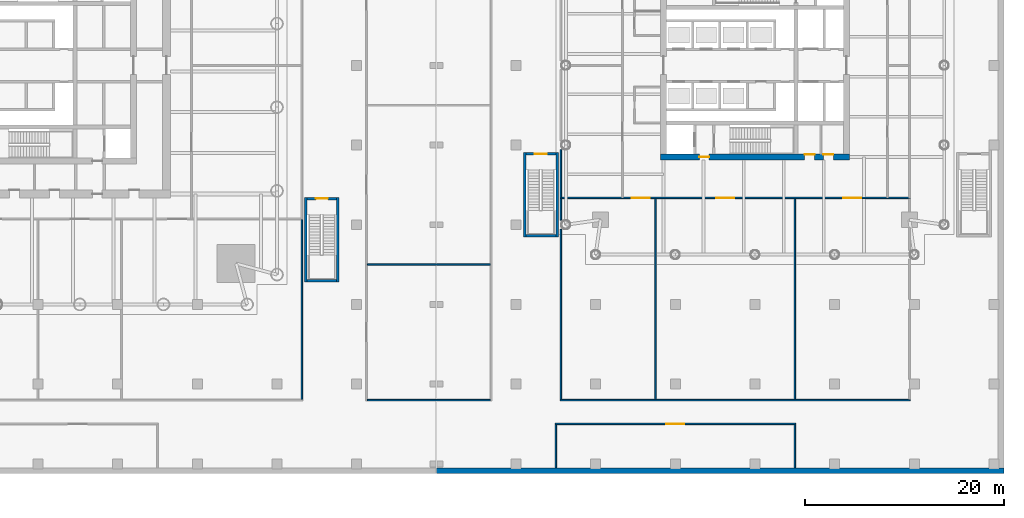
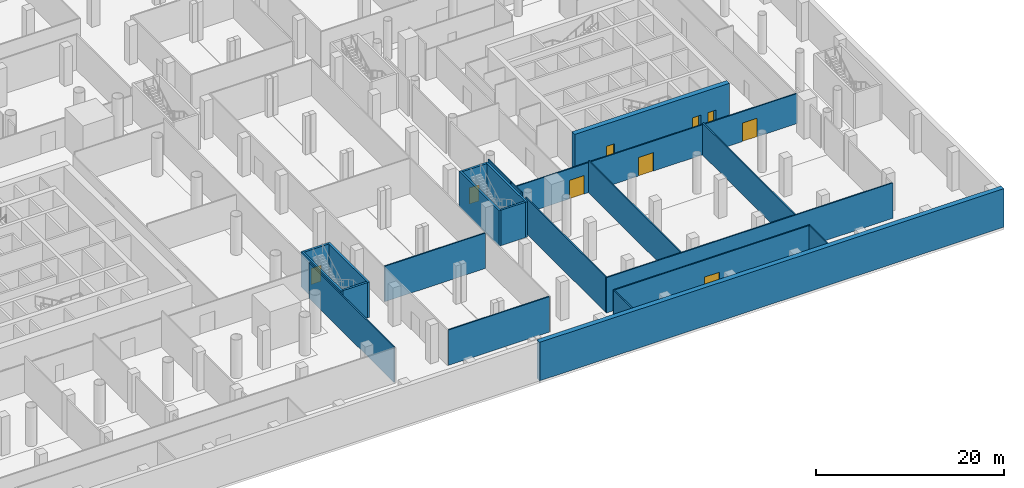
# One storey, part 11 of 22: 23 walls, 9 doors, 9 openings.
"""IFC4 building model written with IfcOpenShell, lengths in metres."""

from ifc_helpers import new_model, si_unit, direction, frame, frame_2d, origin, place, context, subcontext, project, spatial, rectangle, extrude, material, layer, layer_set, type_object, element, fill, save


model = new_model("IFC4")

# Units and contexts
model_context = context("Model", 3, precision=1e-05, world=origin(), true_north=direction((0.0, 1.0)))
body_context = subcontext(model_context, "Body", "Model", "MODEL_VIEW")
ifc_project = project(units=[si_unit("LENGTHUNIT", "METRE"), si_unit("AREAUNIT", "SQUARE_METRE"), si_unit("VOLUMEUNIT", "CUBIC_METRE"), si_unit("PLANEANGLEUNIT", "RADIAN"), si_unit("MASSUNIT", "GRAM", prefix="KILO")], contexts=[model_context])

# Site, building, storey
site_placement = place(None, origin())
site = spatial("IfcSite", under=ifc_project, at=site_placement, CompositionType="ELEMENT")
building_placement = place(site_placement, origin())
building = spatial("IfcBuilding", under=site, at=building_placement, Name="Ostroluk Exchange", CompositionType="ELEMENT")
storey_placement = place(building_placement, frame((0.0, 0.0, -5.0)))
storey = spatial("IfcBuildingStorey", under=building, at=storey_placement, Name="B1", CompositionType="ELEMENT", Elevation=-5.0)

# Walls
ifc_material_1 = material(Name="Concrete C35/45", Category="concrete")
ifc_layer_1 = layer(ifc_material_1, 0.60009765625)
ifc_layer_set_1 = layer_set([ifc_layer_1], Name="Basement retaining wall 600")
wall_type_1 = type_object("IfcWallType", Name="Basement retaining wall 600", PredefinedType="USERDEFINED", material=ifc_layer_set_1)
wall_1_placement = place(storey_placement, frame((85.02490234375, 5.300048828125, 0.0), z_axis=(0.0, 0.0, 1.0), x_axis=(1.0, 0.0, 0.0)))
element("IfcWall", 1, at=wall_1_placement, inside=storey, type_object=wall_type_1, Name="Retaining wall B1 SE", ObjectType="RETAINING WALL", PredefinedType="USERDEFINED", context=body_context, shape_type="SweptSolid", body=[
    extrude(rectangle(XDim=56.97509765625, YDim=0.60009765625, at=frame_2d((28.487548828125, 0.0))), origin(), (0.0, 0.0, 1.0), 5.0),
])
ifc_material_2 = material(Name="Concrete blockwork", Category="masonry")
ifc_layer_2 = layer(ifc_material_2, 0.25)
ifc_layer_set_2 = layer_set([ifc_layer_2], Name="Blockwork stair enclosure wall 250")
wall_type_2 = type_object("IfcWallType", Name="Blockwork stair enclosure wall 250", PredefinedType="SOLIDWALL", material=ifc_layer_set_2)
for number, where, z_axis, x_axis, name in (
    (2, (71.875, 24.25, 0.0), (0.0, 0.0, 1.0), (0.0, 1.0, 0.0), "Stair PS3 enclosure wall"),
    (3, (75.125, 24.25, 0.0), (0.0, 0.0, 1.0), (0.0, 1.0, 0.0), "Stair PS3 enclosure wall"),
):
    element("IfcWall", number, at=place(storey_placement, frame(where, z_axis=z_axis, x_axis=x_axis)), inside=storey, type_object=wall_type_2, Name=name, PredefinedType="SOLIDWALL", context=body_context, shape_type="SweptSolid", body=[
        extrude(rectangle(XDim=8.5, YDim=0.25, at=frame_2d((4.25, 0.0))), origin(), (0.0, 0.0, 1.0), 4.60009765625),
    ])
wall_2_placement = place(storey_placement, frame((72.0, 24.375, 0.0), z_axis=(0.0, 0.0, 1.0), x_axis=(1.0, 0.0, 0.0)))
element("IfcWall", 4, at=wall_2_placement, inside=storey, type_object=wall_type_2, Name="Stair PS3 enclosure wall", PredefinedType="SOLIDWALL", context=body_context, shape_type="SweptSolid", body=[
    extrude(rectangle(XDim=3.0, YDim=0.25, at=frame_2d((1.5, 0.0))), origin(), (0.0, 0.0, 1.0), 4.60009765625),
])

# Wall, opening, door
wall_3_placement = place(storey_placement, frame((72.0, 32.625, 0.0), z_axis=(0.0, 0.0, 1.0), x_axis=(1.0, 0.0, 0.0)))
wall_3 = element("IfcWall", 5, at=wall_3_placement, inside=storey, type_object=wall_type_2, Name="Stair PS3 enclosure wall", PredefinedType="SOLIDWALL", context=body_context, shape_type="SweptSolid", body=[
    extrude(rectangle(XDim=3.0, YDim=0.25, at=frame_2d((1.5, 0.0))), origin(), (0.0, 0.0, 1.0), 4.60009765625),
])
opening_1_placement = place(wall_3_placement, frame((0.89990234375, 0.0, 0.0)))
opening_1 = element("IfcOpeningElement", 6, at=opening_1_placement, cuts=wall_3, Name="Opening FD60S", PredefinedType="OPENING", context=body_context, shape_type="SweptSolid", body=[
    extrude(rectangle(XDim=1.199951171875, YDim=2.10009765625, at=frame_2d((0.60009765625, 1.050048828125))), frame((0.0, 0.135009765625, 0.0), z_axis=(0.0, -1.0, 0.0), x_axis=(1.0, 0.0, 0.0)), (0.0, 0.0, 1.0), 0.27001953125),
])
ifc_material_3 = material(Name="Steel", Category="steel")
door_type_1 = type_object("IfcDoorType", Name="Stair door EI 60 1200 x 2100", OperationType="SINGLE_SWING_LEFT", PredefinedType="DOOR", material=ifc_material_3)
door_1_placement = place(opening_1_placement, origin())
door_1 = element("IfcDoor", 7, at=door_1_placement, inside=storey, type_object=door_type_1, Name="Stair PS3 door", OperationType="SINGLE_SWING_LEFT", OverallHeight=2.10009765625, OverallWidth=1.199951171875, PredefinedType="DOOR", context=body_context, shape_type="SweptSolid", body=[
    extrude(rectangle(XDim=1.199951171875, YDim=2.10009765625, at=frame_2d((0.60009765625, 1.050048828125))), frame((0.0, 0.02490234375, 0.0), z_axis=(0.0, -1.0, 0.0), x_axis=(1.0, 0.0, 0.0)), (0.0, 0.0, 1.0), 0.050048828125),
])
fill(opening_1, door_1)

# Walls
for number, where, z_axis, x_axis, name in (
    (8, (93.875, 28.75, 0.0), (0.0, 0.0, 1.0), (0.0, 1.0, 0.0), "Stair PS5 enclosure wall"),
    (9, (97.125, 28.75, 0.0), (0.0, 0.0, 1.0), (0.0, 1.0, 0.0), "Stair PS5 enclosure wall"),
):
    element("IfcWall", number, at=place(storey_placement, frame(where, z_axis=z_axis, x_axis=x_axis)), inside=storey, type_object=wall_type_2, Name=name, PredefinedType="SOLIDWALL", context=body_context, shape_type="SweptSolid", body=[
        extrude(rectangle(XDim=8.5, YDim=0.25, at=frame_2d((4.25, 0.0))), origin(), (0.0, 0.0, 1.0), 4.60009765625),
    ])
wall_4_placement = place(storey_placement, frame((94.0, 28.875, 0.0), z_axis=(0.0, 0.0, 1.0), x_axis=(1.0, 0.0, 0.0)))
element("IfcWall", 10, at=wall_4_placement, inside=storey, type_object=wall_type_2, Name="Stair PS5 enclosure wall", PredefinedType="SOLIDWALL", context=body_context, shape_type="SweptSolid", body=[
    extrude(rectangle(XDim=3.0, YDim=0.25, at=frame_2d((1.5, 0.0))), origin(), (0.0, 0.0, 1.0), 4.60009765625),
])

# Wall, opening, door
wall_5_placement = place(storey_placement, frame((94.0, 37.125, 0.0), z_axis=(0.0, 0.0, 1.0), x_axis=(1.0, 0.0, 0.0)))
wall_5 = element("IfcWall", 11, at=wall_5_placement, inside=storey, type_object=wall_type_2, Name="Stair PS5 enclosure wall", PredefinedType="SOLIDWALL", context=body_context, shape_type="SweptSolid", body=[
    extrude(rectangle(XDim=3.0, YDim=0.25, at=frame_2d((1.5, 0.0))), origin(), (0.0, 0.0, 1.0), 4.60009765625),
])
opening_2_placement = place(wall_5_placement, frame((0.89990234375, 0.0, 0.0)))
opening_2 = element("IfcOpeningElement", 12, at=opening_2_placement, cuts=wall_5, Name="Opening FD60S", PredefinedType="OPENING", context=body_context, shape_type="SweptSolid", body=[
    extrude(rectangle(XDim=1.199951171875, YDim=2.10009765625, at=frame_2d((0.60009765625, 1.050048828125))), frame((0.0, 0.135009765625, 0.0), z_axis=(0.0, -1.0, 0.0), x_axis=(1.0, 0.0, 0.0)), (0.0, 0.0, 1.0), 0.27001953125),
])
door_2_placement = place(opening_2_placement, origin())
door_2 = element("IfcDoor", 13, at=door_2_placement, inside=storey, type_object=door_type_1, Name="Stair PS5 door", OperationType="SINGLE_SWING_LEFT", OverallHeight=2.10009765625, OverallWidth=1.199951171875, PredefinedType="DOOR", context=body_context, shape_type="SweptSolid", body=[
    extrude(rectangle(XDim=1.199951171875, YDim=2.10009765625, at=frame_2d((0.60009765625, 1.050048828125))), frame((0.0, 0.02490234375, 0.0), z_axis=(0.0, -1.0, 0.0), x_axis=(1.0, 0.0, 0.0)), (0.0, 0.0, 1.0), 0.050048828125),
])
fill(opening_2, door_2)

# Wall, openings, doors
ifc_material_4 = material(Name="Concrete C50/60", Category="concrete")
ifc_layer_3 = layer(ifc_material_4, 0.60009765625)
ifc_layer_set_3 = layer_set([ifc_layer_3], Name="Core wall 600 C50/60")
wall_type_3 = type_object("IfcWallType", Name="Core wall 600 C50/60", PredefinedType="SHEAR", material=ifc_layer_set_3)
wall_6_placement = place(storey_placement, frame((107.5, 36.800048828125, 0.0), z_axis=(0.0, 0.0, 1.0), x_axis=(1.0, 0.0, 0.0)))
wall_6 = element("IfcWall", 14, at=wall_6_placement, inside=storey, type_object=wall_type_3, Name="T2 core wall S", PredefinedType="SHEAR", context=body_context, shape_type="SweptSolid", body=[
    extrude(rectangle(XDim=19.0, YDim=0.60009765625, at=frame_2d((9.5, 0.0))), origin(), (0.0, 0.0, 1.0), 5.0),
])
opening_3_placement = place(wall_6_placement, frame((3.89990234375, 0.0, 0.0)))
opening_3 = element("IfcOpeningElement", 15, at=opening_3_placement, cuts=wall_6, Name="Opening FD60", PredefinedType="OPENING", context=body_context, shape_type="SweptSolid", body=[
    extrude(rectangle(XDim=1.0, YDim=2.10009765625, at=frame_2d((0.5, 1.050048828125))), frame((0.0, 0.31005859375, 0.0), z_axis=(0.0, -1.0, 0.0), x_axis=(1.0, 0.0, 0.0)), (0.0, 0.0, 1.0), 0.6201171875),
])
opening_4_placement = place(wall_6_placement, frame((14.472412109375, 0.0, 0.0)))
opening_4 = element("IfcOpeningElement", 16, at=opening_4_placement, cuts=wall_6, Name="Opening FD60", PredefinedType="OPENING", context=body_context, shape_type="SweptSolid", body=[
    extrude(rectangle(XDim=1.0, YDim=2.10009765625, at=frame_2d((0.5, 1.050048828125))), frame((0.0, 0.31005859375, 0.0), z_axis=(0.0, -1.0, 0.0), x_axis=(1.0, 0.0, 0.0)), (0.0, 0.0, 1.0), 0.6201171875),
])
opening_5_placement = place(wall_6_placement, frame((16.364990234375, 0.0, 0.0)))
opening_5 = element("IfcOpeningElement", 17, at=opening_5_placement, cuts=wall_6, Name="Opening FD60", PredefinedType="OPENING", context=body_context, shape_type="SweptSolid", body=[
    extrude(rectangle(XDim=1.0, YDim=2.10009765625, at=frame_2d((0.5, 1.050048828125))), frame((0.0, 0.31005859375, 0.0), z_axis=(0.0, -1.0, 0.0), x_axis=(1.0, 0.0, 0.0)), (0.0, 0.0, 1.0), 0.6201171875),
])
ifc_material_5 = material(Name="Steel", Category="steel")
door_type_2 = type_object("IfcDoorType", Name="Fire door EI 60 1000 x 2100", OperationType="SINGLE_SWING_LEFT", PredefinedType="DOOR", material=ifc_material_5)
door_3_placement = place(opening_3_placement, origin())
door_3 = element("IfcDoor", 18, at=door_3_placement, inside=storey, type_object=door_type_2, Name="Firefighting lobby door", OperationType="SINGLE_SWING_LEFT", OverallHeight=2.10009765625, OverallWidth=1.0, PredefinedType="DOOR", context=body_context, shape_type="SweptSolid", body=[
    extrude(rectangle(XDim=1.0, YDim=2.10009765625, at=frame_2d((0.5, 1.050048828125))), frame((0.0, 0.02490234375, 0.0), z_axis=(0.0, -1.0, 0.0), x_axis=(1.0, 0.0, 0.0)), (0.0, 0.0, 1.0), 0.050048828125),
])
fill(opening_3, door_3)
door_4_placement = place(opening_4_placement, origin())
door_4 = element("IfcDoor", 19, at=door_4_placement, inside=storey, type_object=door_type_2, Name="Comms switch room door", OperationType="SINGLE_SWING_RIGHT", OverallHeight=2.10009765625, OverallWidth=1.0, PredefinedType="DOOR", context=body_context, shape_type="SweptSolid", body=[
    extrude(rectangle(XDim=1.0, YDim=2.10009765625, at=frame_2d((0.5, 1.050048828125))), frame((0.0, 0.2900390625, 0.0), z_axis=(0.0, -1.0, 0.0), x_axis=(1.0, 0.0, 0.0)), (0.0, 0.0, 1.0), 0.050048828125),
])
fill(opening_4, door_4)
door_5_placement = place(opening_5_placement, origin())
door_5 = element("IfcDoor", 20, at=door_5_placement, inside=storey, type_object=door_type_2, Name="Electrical switch room door", OperationType="SINGLE_SWING_RIGHT", OverallHeight=2.10009765625, OverallWidth=1.0, PredefinedType="DOOR", context=body_context, shape_type="SweptSolid", body=[
    extrude(rectangle(XDim=1.0, YDim=2.10009765625, at=frame_2d((0.5, 1.050048828125))), frame((0.0, 0.2900390625, 0.0), z_axis=(0.0, -1.0, 0.0), x_axis=(1.0, 0.0, 0.0)), (0.0, 0.0, 1.0), 0.050048828125),
])
fill(opening_5, door_5)

# Wall, opening, door
ifc_material_6 = material(Name="Gypsum plasterboard partition", Category="gypsum")
ifc_layer_4 = layer(ifc_material_6, 0.14990234375)
ifc_layer_set_4 = layer_set([ifc_layer_4], Name="Plasterboard partition 150")
wall_type_4 = type_object("IfcWallType", Name="Plasterboard partition 150", PredefinedType="PARTITIONING", material=ifc_layer_set_4)
wall_7_placement = place(storey_placement, frame((96.925048828125, 10.0, 0.0), z_axis=(0.0, 0.0, 1.0), x_axis=(1.0, 0.0, 0.0)))
wall_7 = element("IfcWall", 21, at=wall_7_placement, inside=storey, type_object=wall_type_4, Name="Partition", PredefinedType="PARTITIONING", context=body_context, shape_type="SweptSolid", body=[
    extrude(rectangle(XDim=24.14990234375, YDim=0.14990234375, at=frame_2d((12.074951171875, 0.0))), origin(), (0.0, 0.0, 1.0), 4.60009765625),
])
opening_6_placement = place(wall_7_placement, frame((11.175048828125, 0.0, 0.0)))
opening_6 = element("IfcOpeningElement", 22, at=opening_6_placement, cuts=wall_7, Name="Opening D-05", PredefinedType="OPENING", context=body_context, shape_type="SweptSolid", body=[
    extrude(rectangle(XDim=1.800048828125, YDim=2.39990234375, at=frame_2d((0.89990234375, 1.199951171875))), frame((0.0, 0.0849609375, 0.0), z_axis=(0.0, -1.0, 0.0), x_axis=(1.0, 0.0, 0.0)), (0.0, 0.0, 1.0), 0.169921875),
])
ifc_material_7 = material(Name="Steel", Category="steel")
door_type_3 = type_object("IfcDoorType", Name="Plant room double door EI 60 1800 x 2400", OperationType="DOUBLE_DOOR_SINGLE_SWING", PredefinedType="DOOR", material=ifc_material_7)
door_6_placement = place(opening_6_placement, origin())
door_6 = element("IfcDoor", 23, at=door_6_placement, inside=storey, type_object=door_type_3, Name="Metro ventilation plant room door", OperationType="DOUBLE_DOOR_SINGLE_SWING", OverallHeight=2.39990234375, OverallWidth=1.800048828125, PredefinedType="DOOR", context=body_context, shape_type="SweptSolid", body=[
    extrude(rectangle(XDim=1.800048828125, YDim=2.39990234375, at=frame_2d((0.89990234375, 1.199951171875))), frame((0.0, 0.02490234375, 0.0), z_axis=(0.0, -1.0, 0.0), x_axis=(1.0, 0.0, 0.0)), (0.0, 0.0, 1.0), 0.050048828125),
])
fill(opening_6, door_6)

# Walls
for number, where, z_axis, x_axis, name in (
    (24, (97.0, 9.925048828125, 0.0), (0.0, 0.0, 1.0), (0.0, -1.0, 0.0), "Partition"),
    (25, (121.0, 9.925048828125, 0.0), (0.0, 0.0, 1.0), (0.0, -1.0, 0.0), "Partition"),
):
    element("IfcWall", number, at=place(storey_placement, frame(where, z_axis=z_axis, x_axis=x_axis)), inside=storey, type_object=wall_type_4, Name=name, PredefinedType="PARTITIONING", context=body_context, shape_type="SweptSolid", body=[
        extrude(rectangle(XDim=4.324951171875, YDim=0.14990234375, at=frame_2d((2.16259765625, 0.0))), origin(), (0.0, 0.0, 1.0), 4.60009765625),
    ])
wall_8_placement = place(storey_placement, frame((71.5, 12.47509765625, 0.0), z_axis=(0.0, 0.0, 1.0), x_axis=(0.0, 1.0, 0.0)))
element("IfcWall", 26, at=wall_8_placement, inside=storey, type_object=wall_type_4, Name="Partition", PredefinedType="PARTITIONING", context=body_context, shape_type="SweptSolid", body=[
    extrude(rectangle(XDim=18.0498046875, YDim=0.14990234375, at=frame_2d((9.02490234375, 0.0))), origin(), (0.0, 0.0, 1.0), 4.60009765625),
])
for number, where, z_axis, x_axis, name in (
    (27, (78.074951171875, 12.39990234375, 0.0), (0.0, 0.0, 1.0), (1.0, 0.0, 0.0), "Partition"),
    (28, (78.074951171875, 26.0, 0.0), (0.0, 0.0, 1.0), (1.0, 0.0, 0.0), "Partition"),
):
    element("IfcWall", number, at=place(storey_placement, frame(where, z_axis=z_axis, x_axis=x_axis)), inside=storey, type_object=wall_type_4, Name=name, PredefinedType="PARTITIONING", context=body_context, shape_type="SweptSolid", body=[
        extrude(rectangle(XDim=12.35009765625, YDim=0.14990234375, at=frame_2d((6.175048828125, 0.0))), origin(), (0.0, 0.0, 1.0), 4.60009765625),
    ])
wall_9_placement = place(storey_placement, frame((97.425048828125, 12.39990234375, 0.0), z_axis=(0.0, 0.0, 1.0), x_axis=(1.0, 0.0, 0.0)))
element("IfcWall", 29, at=wall_9_placement, inside=storey, type_object=wall_type_4, Name="Partition", PredefinedType="PARTITIONING", context=body_context, shape_type="SweptSolid", body=[
    extrude(rectangle(XDim=35.14990234375, YDim=0.14990234375, at=frame_2d((17.574951171875, 0.0))), origin(), (0.0, 0.0, 1.0), 4.60009765625),
])

# Wall, openings, doors
wall_10_placement = place(storey_placement, frame((97.425048828125, 32.699951171875, 0.0), z_axis=(0.0, 0.0, 1.0), x_axis=(1.0, 0.0, 0.0)))
wall_10 = element("IfcWall", 30, at=wall_10_placement, inside=storey, type_object=wall_type_4, Name="Partition", PredefinedType="PARTITIONING", context=body_context, shape_type="SweptSolid", body=[
    extrude(rectangle(XDim=35.14990234375, YDim=0.14990234375, at=frame_2d((17.574951171875, 0.0))), origin(), (0.0, 0.0, 1.0), 3.89990234375),
])
opening_7_placement = place(wall_10_placement, frame((7.195068359375, 0.0, 0.0)))
opening_7 = element("IfcOpeningElement", 31, at=opening_7_placement, cuts=wall_10, Name="Opening D-04", PredefinedType="OPENING", context=body_context, shape_type="SweptSolid", body=[
    extrude(rectangle(XDim=1.800048828125, YDim=2.39990234375, at=frame_2d((0.89990234375, 1.199951171875))), frame((0.0, 0.0849609375, 0.0), z_axis=(0.0, -1.0, 0.0), x_axis=(1.0, 0.0, 0.0)), (0.0, 0.0, 1.0), 0.169921875),
])
opening_8_placement = place(wall_10_placement, frame((15.675048828125, 0.0, 0.0)))
opening_8 = element("IfcOpeningElement", 32, at=opening_8_placement, cuts=wall_10, Name="Opening D-04", PredefinedType="OPENING", context=body_context, shape_type="SweptSolid", body=[
    extrude(rectangle(XDim=1.800048828125, YDim=2.39990234375, at=frame_2d((0.89990234375, 1.199951171875))), frame((0.0, 0.0849609375, 0.0), z_axis=(0.0, -1.0, 0.0), x_axis=(1.0, 0.0, 0.0)), (0.0, 0.0, 1.0), 0.169921875),
])
opening_9_placement = place(wall_10_placement, frame((28.425048828125, 0.0, 0.0)))
opening_9 = element("IfcOpeningElement", 33, at=opening_9_placement, cuts=wall_10, Name="Opening D-04", PredefinedType="OPENING", context=body_context, shape_type="SweptSolid", body=[
    extrude(rectangle(XDim=1.800048828125, YDim=2.39990234375, at=frame_2d((0.89990234375, 1.199951171875))), frame((0.0, 0.0849609375, 0.0), z_axis=(0.0, -1.0, 0.0), x_axis=(1.0, 0.0, 0.0)), (0.0, 0.0, 1.0), 0.169921875),
])
ifc_material_8 = material(Name="Timber", Category="wood")
door_type_4 = type_object("IfcDoorType", Name="Double door 1800 x 2400", OperationType="DOUBLE_DOOR_SINGLE_SWING", PredefinedType="DOOR", material=ifc_material_8)
door_7_placement = place(opening_7_placement, origin())
door_7 = element("IfcDoor", 34, at=door_7_placement, inside=storey, type_object=door_type_4, Name="Estate office door", OperationType="DOUBLE_DOOR_SINGLE_SWING", OverallHeight=2.39990234375, OverallWidth=1.800048828125, PredefinedType="DOOR", context=body_context, shape_type="SweptSolid", body=[
    extrude(rectangle(XDim=1.800048828125, YDim=2.39990234375, at=frame_2d((0.89990234375, 1.199951171875))), frame((0.0, 0.02490234375, 0.0), z_axis=(0.0, -1.0, 0.0), x_axis=(1.0, 0.0, 0.0)), (0.0, 0.0, 1.0), 0.050048828125),
])
fill(opening_7, door_7)
door_8_placement = place(opening_8_placement, origin())
door_8 = element("IfcDoor", 35, at=door_8_placement, inside=storey, type_object=door_type_4, Name="Facilities management office door", OperationType="DOUBLE_DOOR_SINGLE_SWING", OverallHeight=2.39990234375, OverallWidth=1.800048828125, PredefinedType="DOOR", context=body_context, shape_type="SweptSolid", body=[
    extrude(rectangle(XDim=1.800048828125, YDim=2.39990234375, at=frame_2d((0.89990234375, 1.199951171875))), frame((0.0, 0.02490234375, 0.0), z_axis=(0.0, -1.0, 0.0), x_axis=(1.0, 0.0, 0.0)), (0.0, 0.0, 1.0), 0.050048828125),
])
fill(opening_8, door_8)
door_9_placement = place(opening_9_placement, origin())
door_9 = element("IfcDoor", 36, at=door_9_placement, inside=storey, type_object=door_type_4, Name="Hotel purchasing office door", OperationType="DOUBLE_DOOR_SINGLE_SWING", OverallHeight=2.39990234375, OverallWidth=1.800048828125, PredefinedType="DOOR", context=body_context, shape_type="SweptSolid", body=[
    extrude(rectangle(XDim=1.800048828125, YDim=2.39990234375, at=frame_2d((0.89990234375, 1.199951171875))), frame((0.0, 0.02490234375, 0.0), z_axis=(0.0, -1.0, 0.0), x_axis=(1.0, 0.0, 0.0)), (0.0, 0.0, 1.0), 0.050048828125),
])
fill(opening_9, door_9)

# Walls
wall_11_placement = place(storey_placement, frame((97.5, 12.47509765625, 0.0), z_axis=(0.0, 0.0, 1.0), x_axis=(0.0, 1.0, 0.0)))
element("IfcWall", 37, at=wall_11_placement, inside=storey, type_object=wall_type_4, Name="Partition", PredefinedType="PARTITIONING", context=body_context, shape_type="SweptSolid", body=[
    extrude(rectangle(XDim=17.06787109375, YDim=0.14990234375, at=frame_2d((8.533935546875, 0.0))), origin(), (0.0, 0.0, 1.0), 4.60009765625),
])
wall_12_placement = place(storey_placement, frame((97.5, 30.45703125, 0.0), z_axis=(0.0, 0.0, 1.0), x_axis=(0.0, 1.0, 0.0)))
element("IfcWall", 38, at=wall_12_placement, inside=storey, type_object=wall_type_4, Name="Partition", PredefinedType="PARTITIONING", context=body_context, shape_type="SweptSolid", body=[
    extrude(rectangle(XDim=2.16796875, YDim=0.14990234375, at=frame_2d((1.083984375, 0.0))), origin(), (0.0, 0.0, 1.0), 4.699951171875),
])
for number, where, z_axis, x_axis, name in (
    (39, (107.0, 12.47509765625, 0.0), (0.0, 0.0, 1.0), (0.0, 1.0, 0.0), "Partition"),
    (40, (121.0, 12.47509765625, 0.0), (0.0, 0.0, 1.0), (0.0, 1.0, 0.0), "Partition"),
):
    element("IfcWall", number, at=place(storey_placement, frame(where, z_axis=z_axis, x_axis=x_axis)), inside=storey, type_object=wall_type_4, Name=name, PredefinedType="PARTITIONING", context=body_context, shape_type="SweptSolid", body=[
        extrude(rectangle(XDim=20.14990234375, YDim=0.14990234375, at=frame_2d((10.074951171875, 0.0))), origin(), (0.0, 0.0, 1.0), 4.14990234375),
    ])
wall_13_placement = place(storey_placement, frame((97.5, 32.699951171875, 0.0), z_axis=(0.0, 0.0, 1.0), x_axis=(0.0, 1.0, 0.0)))
element("IfcWall", 41, at=wall_13_placement, inside=storey, type_object=wall_type_4, Name="Partition", PredefinedType="PARTITIONING", context=body_context, shape_type="SweptSolid", body=[
    extrude(rectangle(XDim=4.843017578125, YDim=0.14990234375, at=frame_2d((2.42138671875, 0.0))), origin(), (0.0, 0.0, 1.0), 4.699951171875),
])

save(model, "model.ifc")
